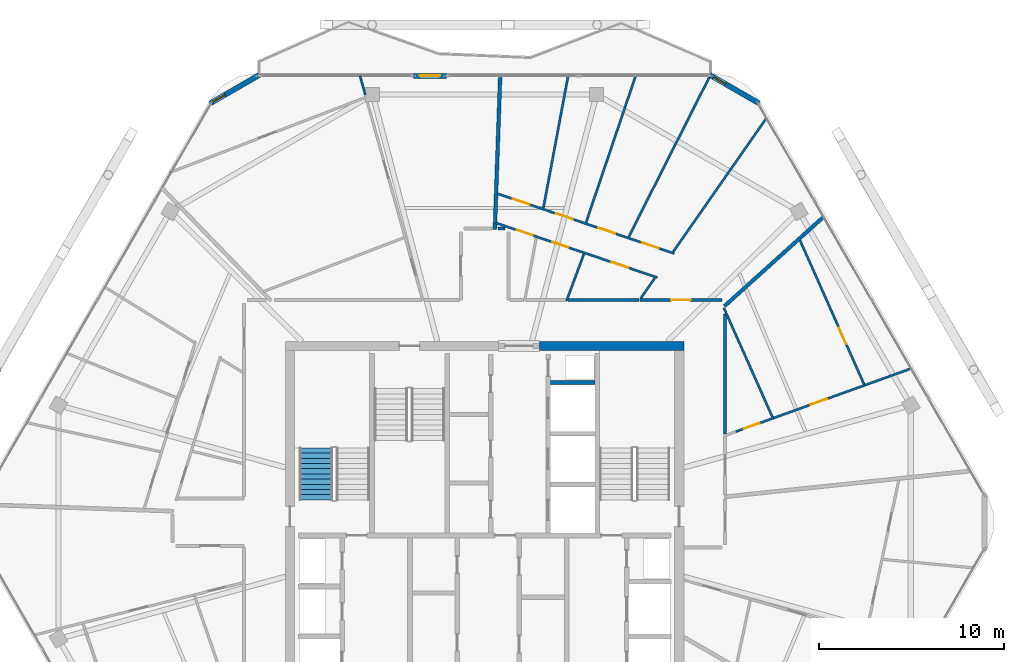
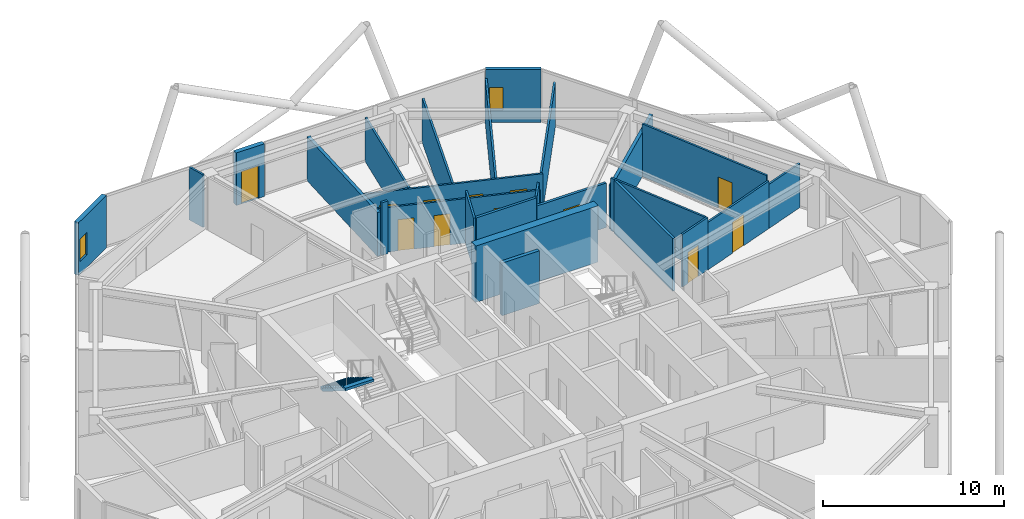
# One storey, part 20 of 23: 25 walls, 12 doors, 2 windows, 1 stair flight, 14 openings, 1 element without a shape of its own.
"""IFC4 building model written with IfcOpenShell, lengths in metres."""

from ifc_helpers import new_model, si_unit, direction, frame, frame_2d, origin, place, context, subcontext, project, spatial, polyline, rectangle, outline, extrude, material, layer, layer_set, type_object, element, fill, aggregate, save


model = new_model("IFC4")

# Units and contexts
model_context = context("Model", 3, precision=1e-05, world=origin(), true_north=direction((0.0, 1.0)))
body_context = subcontext(model_context, "Body", "Model", "MODEL_VIEW")
ifc_project = project(units=[si_unit("LENGTHUNIT", "METRE"), si_unit("AREAUNIT", "SQUARE_METRE"), si_unit("VOLUMEUNIT", "CUBIC_METRE"), si_unit("PLANEANGLEUNIT", "RADIAN"), si_unit("MASSUNIT", "GRAM", prefix="KILO")], contexts=[model_context])

# Site, building, storey
site_placement = place(None, origin())
site = spatial("IfcSite", under=ifc_project, at=site_placement, CompositionType="ELEMENT")
building_placement = place(site_placement, origin())
building = spatial("IfcBuilding", under=site, at=building_placement, Name="Zuhravey Tower", CompositionType="ELEMENT")
storey_placement = place(building_placement, frame((0.0, 0.0, 346.199951171875)))
storey = spatial("IfcBuildingStorey", under=building, at=storey_placement, Name="L88", CompositionType="ELEMENT", Elevation=346.199951171875)

# Wall
ifc_material_1 = material(Name="Concrete C50/60", Category="concrete")
ifc_layer_1 = layer(ifc_material_1, 0.5)
ifc_layer_set_1 = layer_set([ifc_layer_1], Name="Concrete C50/60")
wall_type_1 = type_object("IfcWallType", Name="Core Shear Wall 500", PredefinedType="SHEAR", material=ifc_layer_set_1)
wall_1_placement = place(storey_placement, frame((46.75, 41.5, 0.0), z_axis=(0.0, 0.0, 1.0), x_axis=(-1.0, 0.0, 0.0)))
element("IfcWall", 1, at=wall_1_placement, inside=storey, type_object=wall_type_1, Name="L88 North-East Core Shear Wall CW50", PredefinedType="SHEAR", context=body_context, shape_type="SweptSolid", body=[
    extrude(rectangle(XDim=7.800048828125, YDim=0.5, at=frame_2d((3.89990234375, 0.0))), origin(), (0.0, 0.0, 1.0), 3.800048828125),
])

# Wall, opening, door
ifc_material_2 = material(Name="Gypsum fire-rated stud partition")
ifc_layer_2 = layer(ifc_material_2, 0.159912109375)
ifc_layer_set_2 = layer_set([ifc_layer_2], Name="Gypsum fire-rated stud partition")
wall_type_2 = type_object("IfcWallType", Name="Corridor Fire Partition 160", PredefinedType="PARTITIONING", material=ifc_layer_set_2)
wall_2_placement = place(storey_placement, frame((48.79931640625, 43.97998046875, 0.0), z_axis=(0.0, 0.0, 1.0), x_axis=(-1.0, 0.0, 0.0)))
wall_2 = element("IfcWall", 2, at=wall_2_placement, inside=storey, type_object=wall_type_2, Name="L88 IW16 Partition 022", PredefinedType="PARTITIONING", context=body_context, shape_type="SweptSolid", body=[
    extrude(rectangle(XDim=4.417724609375, YDim=0.159912109375, at=frame_2d((2.208984375, 0.0))), origin(), (0.0, 0.0, 1.0), 3.0),
])
opening_1_placement = place(wall_2_placement, frame((1.683837890625, 0.0, 0.0)))
opening_1 = element("IfcOpeningElement", 3, at=opening_1_placement, cuts=wall_2, Name="Opening APD1", PredefinedType="OPENING", context=body_context, shape_type="SweptSolid", body=[
    extrude(rectangle(XDim=1.050048828125, YDim=2.14990234375, at=frame_2d((0.52490234375, 1.074951171875))), frame((0.0, 0.092041015625, 0.0), z_axis=(0.0, -1.0, 0.0), x_axis=(1.0, 0.0, 0.0)), (0.0, 0.0, 1.0), 0.183837890625),
])
ifc_material_3 = material(Name="Solid-core oak fire-rated leaf")
door_type_1 = type_object("IfcDoorType", Name="Apartment Entrance Fire Door 1050x2150", OperationType="NOTDEFINED", PredefinedType="DOOR", material=ifc_material_3)
door_1_placement = place(opening_1_placement, frame((1.050048828125, 0.0, 0.0), z_axis=(0.0, 0.0, 1.0), x_axis=(-1.0, 0.0, 0.0)))
door_1 = element("IfcDoor", 4, at=door_1_placement, inside=storey, type_object=door_type_1, Name="L88 Door 022.1", OperationType="SINGLE_SWING_RIGHT", OverallHeight=2.14990234375, OverallWidth=1.050048828125, PredefinedType="DOOR", context=body_context, shape_type="SweptSolid", body=[
    extrude(rectangle(XDim=1.050048828125, YDim=2.14990234375, at=frame_2d((0.52490234375, 1.074951171875))), frame((0.0, 0.02490234375, 0.0), z_axis=(0.0, -1.0, 0.0), x_axis=(1.0, 0.0, 0.0)), (0.0, 0.0, 1.0), 0.050048828125),
])
fill(opening_1, door_1)

# Walls
wall_3_placement = place(storey_placement, frame((44.3330078125, 43.97998046875, 0.0), z_axis=(0.0, 0.0, 1.0), x_axis=(-1.0, 0.0, 0.0)))
element("IfcWall", 5, at=wall_3_placement, inside=storey, type_object=wall_type_2, Name="L88 IW16 Partition 101", PredefinedType="PARTITIONING", context=body_context, shape_type="SweptSolid", body=[
    extrude(rectangle(XDim=3.82421875, YDim=0.159912109375, at=frame_2d((1.912109375, 0.0))), origin(), (0.0, 0.0, 1.0), 3.550048828125),
])
wall_4_placement = place(storey_placement, frame((37.10009765625, 47.830078125, 0.0), z_axis=(0.0, 0.0, 1.0), x_axis=(-1.0, 0.0, 0.0)))
element("IfcWall", 6, at=wall_4_placement, inside=storey, type_object=wall_type_2, Name="L88 IW16 Partition 105", PredefinedType="PARTITIONING", context=body_context, shape_type="SweptSolid", body=[
    extrude(rectangle(XDim=0.388916015625, YDim=0.159912109375, at=frame_2d((0.1943359375, 0.0))), origin(), (0.0, 0.0, 1.0), 3.550048828125),
])
wall_5_placement = place(storey_placement, frame((48.97998046875, 36.745361328125, 0.0), z_axis=(0.0, 0.0, 1.0), x_axis=(0.0, 1.0, 0.0)))
element("IfcWall", 7, at=wall_5_placement, inside=storey, type_object=wall_type_2, Name="L88 IW16 Partition 126", PredefinedType="PARTITIONING", context=body_context, shape_type="SweptSolid", body=[
    extrude(rectangle(XDim=6.476806640625, YDim=0.159912109375, at=frame_2d((3.23828125, 0.0))), origin(), (0.0, 0.0, 1.0), 3.550048828125),
])

# Wall, opening, window
ifc_material_4 = material(Name="Precast concrete C40/50", Category="concrete")
ifc_layer_3 = layer(ifc_material_4, 0.280029296875)
ifc_layer_set_3 = layer_set([ifc_layer_3], Name="Precast concrete C40/50")
wall_type_3 = type_object("IfcWallType", Name="Crown Architectural Wall 280", PredefinedType="SOLIDWALL", material=ifc_layer_set_3)
wall_6_placement = place(storey_placement, frame((21.188720703125, 54.589111328125, 0.0), z_axis=(0.0, 0.0, 1.0), x_axis=(0.866023752521, 0.50000286006, 0.0)))
wall_6 = element("IfcWall", 8, at=wall_6_placement, inside=storey, type_object=wall_type_3, Name="L88 Rounded Corner Closure Wall EW28-08", PredefinedType="SOLIDWALL", context=body_context, shape_type="SweptSolid", body=[
    extrude(rectangle(XDim=3.06494140625, YDim=0.280029296875, at=frame_2d((1.532470703125, 0.0))), origin(), (0.0, 0.0, 1.0), 3.550048828125),
])
opening_2_placement = place(wall_6_placement, frame((0.1728515625, 0.0, 0.85009765625)))
opening_2 = element("IfcOpeningElement", 9, at=opening_2_placement, cuts=wall_6, Name="Opening WN5", PredefinedType="OPENING", context=body_context, shape_type="SweptSolid", body=[
    extrude(rectangle(XDim=0.75, YDim=1.5, at=frame_2d((0.375, 0.75))), frame((0.0, 0.152099609375, 0.0), z_axis=(0.0, -1.0, 0.0), x_axis=(1.0, 0.0, 0.0)), (0.0, 0.0, 1.0), 0.303955078125),
])
ifc_material_5 = material(Name="Thermally broken aluminium and triple low-E glass", Category="aluminium")
window_type = type_object("IfcWindowType", Name="Residential Corner Casement Window 750x1500", PartitioningType="SINGLE_PANEL", PredefinedType="WINDOW", material=ifc_material_5)
window_1_placement = place(opening_2_placement, origin())
window_1 = element("IfcWindow", 10, at=window_1_placement, inside=storey, type_object=window_type, Name="L88 Corner Casement Window WN5-08.1", OverallHeight=1.5, OverallWidth=0.75, PartitioningType="SINGLE_PANEL", PredefinedType="WINDOW", context=body_context, shape_type="SweptSolid", body=[
    extrude(rectangle(XDim=0.75, YDim=1.5, at=frame_2d((0.375, 0.75))), frame((0.0, 0.030029296875, 0.0), z_axis=(0.0, -1.0, 0.0), x_axis=(1.0, 0.0, 0.0)), (0.0, 0.0, 1.0), 0.06005859375),
])
fill(opening_2, window_1)

# Wall, opening, door
wall_7_placement = place(storey_placement, frame((32.15283203125, 56.07421875, 0.0), z_axis=(0.0, 0.0, 1.0), x_axis=(1.0, 0.0, 0.0)))
wall_7 = element("IfcWall", 11, at=wall_7_placement, inside=storey, type_object=wall_type_3, Name="L88 Face 2 Facade Pier EW28-1", PredefinedType="SOLIDWALL", context=body_context, shape_type="SweptSolid", body=[
    extrude(rectangle(XDim=1.7900390625, YDim=0.280029296875, at=frame_2d((0.89501953125, 0.0))), origin(), (0.0, 0.0, 1.0), 3.550048828125),
])
opening_3_placement = place(wall_7_placement, frame((0.344970703125, 0.0, 0.0)))
opening_3 = element("IfcOpeningElement", 12, at=opening_3_placement, cuts=wall_7, Name="Opening BLD1", PredefinedType="OPENING", context=body_context, shape_type="SweptSolid", body=[
    extrude(rectangle(XDim=1.10009765625, YDim=2.199951171875, at=frame_2d((0.550048828125, 1.10009765625))), frame((0.0, 0.152099609375, 0.0), z_axis=(0.0, -1.0, 0.0), x_axis=(1.0, 0.0, 0.0)), (0.0, 0.0, 1.0), 0.303955078125),
])
ifc_material_6 = material(Name="Thermally broken aluminium and low-E glass", Category="aluminium")
door_type_2 = type_object("IfcDoorType", Name="Balcony & Sky-Tray Glazed Door 1100x2200", OperationType="NOTDEFINED", PredefinedType="DOOR", material=ifc_material_6)
door_2_placement = place(opening_3_placement, frame((1.10009765625, 0.0, 0.0), z_axis=(0.0, 0.0, 1.0), x_axis=(-1.0, 0.0, 0.0)))
door_2 = element("IfcDoor", 13, at=door_2_placement, inside=storey, type_object=door_type_2, Name="L88 Face 2 Wave Balcony Door", OperationType="SINGLE_SWING_RIGHT", OverallHeight=2.199951171875, OverallWidth=1.10009765625, PredefinedType="DOOR", context=body_context, shape_type="SweptSolid", body=[
    extrude(rectangle(XDim=1.10009765625, YDim=2.199951171875, at=frame_2d((0.550048828125, 1.10009765625))), frame((0.0, 0.02490234375, 0.0), z_axis=(0.0, -1.0, 0.0), x_axis=(1.0, 0.0, 0.0)), (0.0, 0.0, 1.0), 0.050048828125),
])
fill(opening_3, door_2)

# Wall, opening, window
wall_8_placement = place(storey_placement, frame((48.156982421875, 56.12158203125, 0.0), z_axis=(0.0, 0.0, 1.0), x_axis=(0.866023752521, -0.50000286006, 0.0)))
wall_8 = element("IfcWall", 14, at=wall_8_placement, inside=storey, type_object=wall_type_3, Name="L88 Rounded Corner Closure Wall EW28-10", PredefinedType="SOLIDWALL", context=body_context, shape_type="SweptSolid", body=[
    extrude(rectangle(XDim=3.06494140625, YDim=0.280029296875, at=frame_2d((1.532470703125, 0.0))), origin(), (0.0, 0.0, 1.0), 3.550048828125),
])
opening_4_placement = place(wall_8_placement, frame((0.215576171875, 0.0, 0.85009765625)))
opening_4 = element("IfcOpeningElement", 15, at=opening_4_placement, cuts=wall_8, Name="Opening WN5", PredefinedType="OPENING", context=body_context, shape_type="SweptSolid", body=[
    extrude(rectangle(XDim=0.75, YDim=1.5, at=frame_2d((0.375, 0.75))), frame((0.0, 0.152099609375, 0.0), z_axis=(0.0, -1.0, 0.0), x_axis=(1.0, 0.0, 0.0)), (0.0, 0.0, 1.0), 0.303955078125),
])
window_2_placement = place(opening_4_placement, origin())
window_2 = element("IfcWindow", 16, at=window_2_placement, inside=storey, type_object=window_type, Name="L88 Corner Casement Window WN5-10.1", OverallHeight=1.5, OverallWidth=0.75, PartitioningType="SINGLE_PANEL", PredefinedType="WINDOW", context=body_context, shape_type="SweptSolid", body=[
    extrude(rectangle(XDim=0.75, YDim=1.5, at=frame_2d((0.375, 0.75))), frame((0.0, 0.030029296875, 0.0), z_axis=(0.0, -1.0, 0.0), x_axis=(1.0, 0.0, 0.0)), (0.0, 0.0, 1.0), 0.06005859375),
])
fill(opening_4, window_2)

# Walls
ifc_material_7 = material(Name="Gypsum double-stud party assembly")
ifc_layer_4 = layer(ifc_material_7, 0.199951171875)
ifc_layer_set_4 = layer_set([ifc_layer_4], Name="Gypsum double-stud party assembly")
wall_type_4 = type_object("IfcWallType", Name="Inter-Tenancy Party Wall 200", PredefinedType="PARTITIONING", material=ifc_layer_set_4)
wall_9_placement = place(storey_placement, frame((48.93994140625, 43.651123046875, 0.0), z_axis=(0.0, 0.0, 1.0), x_axis=(0.74315080538, 0.669123964944, 0.0)))
element("IfcWall", 17, at=wall_9_placement, inside=storey, type_object=wall_type_4, Name="L88 IW20 Partition 057", PredefinedType="PARTITIONING", context=body_context, shape_type="SweptSolid", body=[
    extrude(rectangle(XDim=7.199462890625, YDim=0.199951171875, at=frame_2d((3.599609375, 0.0))), origin(), (0.0, 0.0, 1.0), 2.969970703125),
])
wall_10_placement = place(storey_placement, frame((36.551513671875, 47.7900390625, 0.0), z_axis=(0.0, 0.0, 1.0), x_axis=(0.034901510276, 0.999390756702, 0.0)))
element("IfcWall", 18, at=wall_10_placement, inside=storey, type_object=wall_type_4, Name="L88 IW20 Partition 065", PredefinedType="PARTITIONING", context=body_context, shape_type="SweptSolid", body=[
    extrude(rectangle(XDim=8.289306640625, YDim=0.199951171875, at=frame_2d((4.14453125, 0.0))), origin(), (0.0, 0.0, 1.0), 2.969970703125),
])
ifc_material_8 = material(Name="Gypsum acoustic stud assembly")
ifc_layer_5 = layer(ifc_material_8, 0.219970703125)
ifc_layer_set_5 = layer_set([ifc_layer_5], Name="Gypsum acoustic stud assembly")
wall_type_5 = type_object("IfcWallType", Name="School Acoustic Compartment Wall 220", PredefinedType="PARTITIONING", material=ifc_layer_set_5)
wall_11_placement = place(storey_placement, frame((39.55810546875, 39.52490234375, 0.0), z_axis=(0.0, 0.0, 1.0), x_axis=(1.0, 0.0, 0.0)))
element("IfcWall", 19, at=wall_11_placement, inside=storey, type_object=wall_type_5, Name="L88 IW22 Partition 055", PredefinedType="PARTITIONING", context=body_context, shape_type="SweptSolid", body=[
    extrude(rectangle(XDim=2.3837890625, YDim=0.219970703125, at=frame_2d((1.19189453125, 0.0))), origin(), (0.0, 0.0, 1.0), 3.550048828125),
])

# Wall, openings, doors
ifc_material_9 = material(Name="Gypsum metal-stud partition")
ifc_layer_6 = layer(ifc_material_9, 0.1201171875)
ifc_layer_set_6 = layer_set([ifc_layer_6], Name="Gypsum metal-stud partition")
wall_type_6 = type_object("IfcWallType", Name="Unit Internal Partition 120", PredefinedType="PARTITIONING", material=ifc_layer_set_6)
wall_12_placement = place(storey_placement, frame((45.3232421875, 45.189697265625, 0.0), z_axis=(0.0, 0.0, 1.0), x_axis=(-0.947209030083, 0.320616676625, 0.0)))
wall_12 = element("IfcWall", 20, at=wall_12_placement, inside=storey, type_object=wall_type_6, Name="L88 IW12 Partition 020", PredefinedType="PARTITIONING", context=body_context, shape_type="SweptSolid", body=[
    extrude(rectangle(XDim=9.20458984375, YDim=0.1201171875, at=frame_2d((4.602294921875, 0.0))), origin(), (0.0, 0.0, 1.0), 3.0),
])
opening_5_placement = place(wall_12_placement, frame((1.6591796875, 0.0, 0.0)))
opening_5 = element("IfcOpeningElement", 21, at=opening_5_placement, cuts=wall_12, Name="Opening IND1", PredefinedType="OPENING", context=body_context, shape_type="SweptSolid", body=[
    extrude(rectangle(XDim=0.949951171875, YDim=2.10009765625, at=frame_2d((0.47509765625, 1.050048828125))), frame((0.0, 0.072021484375, 0.0), z_axis=(0.0, -1.0, 0.0), x_axis=(1.0, 0.0, 0.0)), (0.0, 0.0, 1.0), 0.14404296875),
])
opening_6_placement = place(wall_12_placement, frame((5.07958984375, 0.0, 0.0)))
opening_6 = element("IfcOpeningElement", 22, at=opening_6_placement, cuts=wall_12, Name="Opening WCD1", PredefinedType="OPENING", context=body_context, shape_type="SweptSolid", body=[
    extrude(rectangle(XDim=0.89990234375, YDim=2.10009765625, at=frame_2d((0.449951171875, 1.050048828125))), frame((0.0, 0.072021484375, 0.0), z_axis=(0.0, -1.0, 0.0), x_axis=(1.0, 0.0, 0.0)), (0.0, 0.0, 1.0), 0.14404296875),
])
opening_7_placement = place(wall_12_placement, frame((7.107177734375, 0.0, 0.0)))
opening_7 = element("IfcOpeningElement", 23, at=opening_7_placement, cuts=wall_12, Name="Opening WCD1", PredefinedType="OPENING", context=body_context, shape_type="SweptSolid", body=[
    extrude(rectangle(XDim=0.89990234375, YDim=2.10009765625, at=frame_2d((0.449951171875, 1.050048828125))), frame((0.0, 0.072021484375, 0.0), z_axis=(0.0, -1.0, 0.0), x_axis=(1.0, 0.0, 0.0)), (0.0, 0.0, 1.0), 0.14404296875),
])
ifc_material_10 = material(Name="Moisture-resistant timber leaf", Category="wood")
door_type_3 = type_object("IfcDoorType", Name="Bathroom & WC Internal Door 900x2100", OperationType="NOTDEFINED", PredefinedType="DOOR", material=ifc_material_10)
door_3_placement = place(opening_6_placement, origin())
door_3 = element("IfcDoor", 24, at=door_3_placement, inside=storey, type_object=door_type_3, Name="Apartment L88-01 Bathroom 1 Door", OperationType="SINGLE_SWING_RIGHT", OverallHeight=2.10009765625, OverallWidth=0.89990234375, PredefinedType="DOOR", context=body_context, shape_type="SweptSolid", body=[
    extrude(rectangle(XDim=0.89990234375, YDim=2.10009765625, at=frame_2d((0.449951171875, 1.050048828125))), frame((0.0, 0.02490234375, 0.0), z_axis=(0.0, -1.0, 0.0), x_axis=(1.0, 0.0, 0.0)), (0.0, 0.0, 1.0), 0.050048828125),
])
fill(opening_6, door_3)
door_4_placement = place(opening_7_placement, origin())
door_4 = element("IfcDoor", 25, at=door_4_placement, inside=storey, type_object=door_type_3, Name="Apartment L88-01 Bathroom 2 Door", OperationType="SINGLE_SWING_LEFT", OverallHeight=2.10009765625, OverallWidth=0.89990234375, PredefinedType="DOOR", context=body_context, shape_type="SweptSolid", body=[
    extrude(rectangle(XDim=0.89990234375, YDim=2.10009765625, at=frame_2d((0.449951171875, 1.050048828125))), frame((0.0, 0.02490234375, 0.0), z_axis=(0.0, -1.0, 0.0), x_axis=(1.0, 0.0, 0.0)), (0.0, 0.0, 1.0), 0.050048828125),
])
fill(opening_7, door_4)
ifc_material_11 = material(Name="Painted engineered timber leaf", Category="wood")
door_type_4 = type_object("IfcDoorType", Name="Internal Room & Bedroom Door 950x2100", OperationType="NOTDEFINED", PredefinedType="DOOR", material=ifc_material_11)
door_5_placement = place(opening_5_placement, origin())
door_5 = element("IfcDoor", 26, at=door_5_placement, inside=storey, type_object=door_type_4, Name="Apartment L88-01 Kitchen Door", OperationType="SINGLE_SWING_LEFT", OverallHeight=2.10009765625, OverallWidth=0.949951171875, PredefinedType="DOOR", context=body_context, shape_type="SweptSolid", body=[
    extrude(rectangle(XDim=0.949951171875, YDim=2.10009765625, at=frame_2d((0.47509765625, 1.050048828125))), frame((0.0, 0.02490234375, 0.0), z_axis=(0.0, -1.0, 0.0), x_axis=(1.0, 0.0, 0.0)), (0.0, 0.0, 1.0), 0.050048828125),
])
fill(opening_5, door_5)

wall_13_placement = place(storey_placement, frame((46.228759765625, 46.48779296875, 0.0), z_axis=(0.0, 0.0, 1.0), x_axis=(-0.947206471438, 0.320624235618, 0.0)))
wall_13 = element("IfcWall", 27, at=wall_13_placement, inside=storey, type_object=wall_type_6, Name="L88 IW12 Partition 021", PredefinedType="PARTITIONING", context=body_context, shape_type="SweptSolid", body=[
    extrude(rectangle(XDim=10.087646484375, YDim=0.1201171875, at=frame_2d((5.0439453125, 0.0))), origin(), (0.0, 0.0, 1.0), 3.0),
])
opening_8_placement = place(wall_13_placement, frame((0.886962890625, 0.0, 0.0)))
opening_8 = element("IfcOpeningElement", 28, at=opening_8_placement, cuts=wall_13, Name="Opening IND1", PredefinedType="OPENING", context=body_context, shape_type="SweptSolid", body=[
    extrude(rectangle(XDim=0.949951171875, YDim=2.10009765625, at=frame_2d((0.47509765625, 1.050048828125))), frame((0.0, 0.072021484375, 0.0), z_axis=(0.0, -1.0, 0.0), x_axis=(1.0, 0.0, 0.0)), (0.0, 0.0, 1.0), 0.14404296875),
])
opening_9_placement = place(wall_13_placement, frame((3.3583984375, 0.0, 0.0)))
opening_9 = element("IfcOpeningElement", 29, at=opening_9_placement, cuts=wall_13, Name="Opening IND1", PredefinedType="OPENING", context=body_context, shape_type="SweptSolid", body=[
    extrude(rectangle(XDim=0.949951171875, YDim=2.10009765625, at=frame_2d((0.47509765625, 1.050048828125))), frame((0.0, 0.072021484375, 0.0), z_axis=(0.0, -1.0, 0.0), x_axis=(1.0, 0.0, 0.0)), (0.0, 0.0, 1.0), 0.14404296875),
])
opening_10_placement = place(wall_13_placement, frame((5.779296875, 0.0, 0.0)))
opening_10 = element("IfcOpeningElement", 30, at=opening_10_placement, cuts=wall_13, Name="Opening IND1", PredefinedType="OPENING", context=body_context, shape_type="SweptSolid", body=[
    extrude(rectangle(XDim=0.949951171875, YDim=2.10009765625, at=frame_2d((0.47509765625, 1.050048828125))), frame((0.0, 0.072021484375, 0.0), z_axis=(0.0, -1.0, 0.0), x_axis=(1.0, 0.0, 0.0)), (0.0, 0.0, 1.0), 0.14404296875),
])
opening_11_placement = place(wall_13_placement, frame((8.250732421875, 0.0, 0.0)))
opening_11 = element("IfcOpeningElement", 31, at=opening_11_placement, cuts=wall_13, Name="Opening IND1", PredefinedType="OPENING", context=body_context, shape_type="SweptSolid", body=[
    extrude(rectangle(XDim=0.949951171875, YDim=2.10009765625, at=frame_2d((0.47509765625, 1.050048828125))), frame((0.0, 0.072021484375, 0.0), z_axis=(0.0, -1.0, 0.0), x_axis=(1.0, 0.0, 0.0)), (0.0, 0.0, 1.0), 0.14404296875),
])
door_6_placement = place(opening_8_placement, frame((0.949951171875, 0.0, 0.0), z_axis=(0.0, 0.0, 1.0), x_axis=(-1.0, 0.0, 0.0)))
door_6 = element("IfcDoor", 32, at=door_6_placement, inside=storey, type_object=door_type_4, Name="Apartment L88-01 Bedroom 1 Door", OperationType="SINGLE_SWING_RIGHT", OverallHeight=2.10009765625, OverallWidth=0.949951171875, PredefinedType="DOOR", context=body_context, shape_type="SweptSolid", body=[
    extrude(rectangle(XDim=0.949951171875, YDim=2.10009765625, at=frame_2d((0.47509765625, 1.050048828125))), frame((0.0, 0.02490234375, 0.0), z_axis=(0.0, -1.0, 0.0), x_axis=(1.0, 0.0, 0.0)), (0.0, 0.0, 1.0), 0.050048828125),
])
fill(opening_8, door_6)
door_7_placement = place(opening_9_placement, frame((0.949951171875, 0.0, 0.0), z_axis=(0.0, 0.0, 1.0), x_axis=(-1.0, 0.0, 0.0)))
door_7 = element("IfcDoor", 33, at=door_7_placement, inside=storey, type_object=door_type_4, Name="Apartment L88-01 Bedroom 2 Door", OperationType="SINGLE_SWING_LEFT", OverallHeight=2.10009765625, OverallWidth=0.949951171875, PredefinedType="DOOR", context=body_context, shape_type="SweptSolid", body=[
    extrude(rectangle(XDim=0.949951171875, YDim=2.10009765625, at=frame_2d((0.47509765625, 1.050048828125))), frame((0.0, 0.02490234375, 0.0), z_axis=(0.0, -1.0, 0.0), x_axis=(1.0, 0.0, 0.0)), (0.0, 0.0, 1.0), 0.050048828125),
])
fill(opening_9, door_7)
door_8_placement = place(opening_10_placement, frame((0.949951171875, 0.0, 0.0), z_axis=(0.0, 0.0, 1.0), x_axis=(-1.0, 0.0, 0.0)))
door_8 = element("IfcDoor", 34, at=door_8_placement, inside=storey, type_object=door_type_4, Name="Apartment L88-01 Bedroom 3 Door", OperationType="SINGLE_SWING_RIGHT", OverallHeight=2.10009765625, OverallWidth=0.949951171875, PredefinedType="DOOR", context=body_context, shape_type="SweptSolid", body=[
    extrude(rectangle(XDim=0.949951171875, YDim=2.10009765625, at=frame_2d((0.47509765625, 1.050048828125))), frame((0.0, 0.02490234375, 0.0), z_axis=(0.0, -1.0, 0.0), x_axis=(1.0, 0.0, 0.0)), (0.0, 0.0, 1.0), 0.050048828125),
])
fill(opening_10, door_8)
door_9_placement = place(opening_11_placement, frame((0.949951171875, 0.0, 0.0), z_axis=(0.0, 0.0, 1.0), x_axis=(-1.0, 0.0, 0.0)))
door_9 = element("IfcDoor", 35, at=door_9_placement, inside=storey, type_object=door_type_4, Name="Apartment L88-01 Bedroom 4 Door", OperationType="SINGLE_SWING_LEFT", OverallHeight=2.10009765625, OverallWidth=0.949951171875, PredefinedType="DOOR", context=body_context, shape_type="SweptSolid", body=[
    extrude(rectangle(XDim=0.949951171875, YDim=2.10009765625, at=frame_2d((0.47509765625, 1.050048828125))), frame((0.0, 0.02490234375, 0.0), z_axis=(0.0, -1.0, 0.0), x_axis=(1.0, 0.0, 0.0)), (0.0, 0.0, 1.0), 0.050048828125),
])
fill(opening_11, door_9)

# Wall, opening, door
wall_14_placement = place(storey_placement, frame((49.550048828125, 36.87841796875, 0.0), z_axis=(0.0, 0.0, 1.0), x_axis=(0.940904714612, 0.338671401244, 0.0)))
wall_14 = element("IfcWall", 36, at=wall_14_placement, inside=storey, type_object=wall_type_6, Name="L88 IW12 Partition 047", PredefinedType="PARTITIONING", context=body_context, shape_type="SweptSolid", body=[
    extrude(rectangle(XDim=2.158203125, YDim=0.1201171875, at=frame_2d((1.0791015625, 0.0))), origin(), (0.0, 0.0, 1.0), 3.550048828125),
])
opening_12_placement = place(wall_14_placement, frame((0.45654296875, 0.0, 0.0)))
opening_12 = element("IfcOpeningElement", 37, at=opening_12_placement, cuts=wall_14, Name="Opening WCD1", PredefinedType="OPENING", context=body_context, shape_type="SweptSolid", body=[
    extrude(rectangle(XDim=0.89990234375, YDim=2.10009765625, at=frame_2d((0.449951171875, 1.050048828125))), frame((0.0, 0.072021484375, 0.0), z_axis=(0.0, -1.0, 0.0), x_axis=(1.0, 0.0, 0.0)), (0.0, 0.0, 1.0), 0.14404296875),
])
door_10_placement = place(opening_12_placement, origin())
door_10 = element("IfcDoor", 38, at=door_10_placement, inside=storey, type_object=door_type_3, Name="Apartment L88-09 Bathroom Door", OperationType="SINGLE_SWING_RIGHT", OverallHeight=2.10009765625, OverallWidth=0.89990234375, PredefinedType="DOOR", context=body_context, shape_type="SweptSolid", body=[
    extrude(rectangle(XDim=0.89990234375, YDim=2.10009765625, at=frame_2d((0.449951171875, 1.050048828125))), frame((0.0, 0.02490234375, 0.0), z_axis=(0.0, -1.0, 0.0), x_axis=(1.0, 0.0, 0.0)), (0.0, 0.0, 1.0), 0.050048828125),
])
fill(opening_12, door_10)

wall_15_placement = place(storey_placement, frame((51.580810546875, 37.609375, 0.0), z_axis=(0.0, 0.0, 1.0), x_axis=(0.940870812365, 0.338765574461, 0.0)))
wall_15 = element("IfcWall", 39, at=wall_15_placement, inside=storey, type_object=wall_type_6, Name="L88 IW12 Partition 048", PredefinedType="PARTITIONING", context=body_context, shape_type="SweptSolid", body=[
    extrude(rectangle(XDim=5.250244140625, YDim=0.1201171875, at=frame_2d((2.625, 0.0))), origin(), (0.0, 0.0, 1.0), 3.199951171875),
])
opening_13_placement = place(wall_15_placement, frame((2.125, 0.0, 0.0)))
opening_13 = element("IfcOpeningElement", 40, at=opening_13_placement, cuts=wall_15, Name="Opening IND1", PredefinedType="OPENING", context=body_context, shape_type="SweptSolid", body=[
    extrude(rectangle(XDim=0.949951171875, YDim=2.10009765625, at=frame_2d((0.47509765625, 1.050048828125))), frame((0.0, 0.072021484375, 0.0), z_axis=(0.0, -1.0, 0.0), x_axis=(1.0, 0.0, 0.0)), (0.0, 0.0, 1.0), 0.14404296875),
])
door_11_placement = place(opening_13_placement, origin())
door_11 = element("IfcDoor", 41, at=door_11_placement, inside=storey, type_object=door_type_4, Name="Apartment L88-09 Home Office Door", OperationType="SINGLE_SWING_LEFT", OverallHeight=2.10009765625, OverallWidth=0.949951171875, PredefinedType="DOOR", context=body_context, shape_type="SweptSolid", body=[
    extrude(rectangle(XDim=0.949951171875, YDim=2.10009765625, at=frame_2d((0.47509765625, 1.050048828125))), frame((0.0, 0.02490234375, 0.0), z_axis=(0.0, -1.0, 0.0), x_axis=(1.0, 0.0, 0.0)), (0.0, 0.0, 1.0), 0.050048828125),
])
fill(opening_13, door_11)

wall_16_placement = place(storey_placement, frame((56.469482421875, 39.441650390625, 0.0), z_axis=(0.0, 0.0, 1.0), x_axis=(-0.406736554193, 0.913545497216, 0.0)))
wall_16 = element("IfcWall", 42, at=wall_16_placement, inside=storey, type_object=wall_type_6, Name="L88 IW12 Partition 049", PredefinedType="PARTITIONING", context=body_context, shape_type="SweptSolid", body=[
    extrude(rectangle(XDim=8.482666015625, YDim=0.1201171875, at=frame_2d((4.2412109375, 0.0))), origin(), (0.0, 0.0, 1.0), 3.550048828125),
])
opening_14_placement = place(wall_16_placement, frame((2.362060546875, 0.0, 0.0)))
opening_14 = element("IfcOpeningElement", 43, at=opening_14_placement, cuts=wall_16, Name="Opening IND1", PredefinedType="OPENING", context=body_context, shape_type="SweptSolid", body=[
    extrude(rectangle(XDim=0.949951171875, YDim=2.10009765625, at=frame_2d((0.47509765625, 1.050048828125))), frame((0.0, 0.072021484375, 0.0), z_axis=(0.0, -1.0, 0.0), x_axis=(1.0, 0.0, 0.0)), (0.0, 0.0, 1.0), 0.14404296875),
])
door_12_placement = place(opening_14_placement, frame((0.949951171875, 0.0, 0.0), z_axis=(0.0, 0.0, 1.0), x_axis=(-1.0, 0.0, 0.0)))
door_12 = element("IfcDoor", 44, at=door_12_placement, inside=storey, type_object=door_type_4, Name="Apartment L88-09 Bedroom 1 Door", OperationType="SINGLE_SWING_RIGHT", OverallHeight=2.10009765625, OverallWidth=0.949951171875, PredefinedType="DOOR", context=body_context, shape_type="SweptSolid", body=[
    extrude(rectangle(XDim=0.949951171875, YDim=2.10009765625, at=frame_2d((0.47509765625, 1.050048828125))), frame((0.0, 0.02490234375, 0.0), z_axis=(0.0, -1.0, 0.0), x_axis=(1.0, 0.0, 0.0)), (0.0, 0.0, 1.0), 0.050048828125),
])
fill(opening_14, door_12)

# Walls
wall_17_placement = place(storey_placement, frame((40.417724609375, 43.929931640625, 0.0), z_axis=(0.0, 0.0, 1.0), x_axis=(0.347234815936, 0.937778216105, 0.0)))
element("IfcWall", 45, at=wall_17_placement, inside=storey, type_object=wall_type_6, Name="L88 IW12 Partition 058", PredefinedType="PARTITIONING", context=body_context, shape_type="SweptSolid", body=[
    extrude(rectangle(XDim=2.69921875, YDim=0.1201171875, at=frame_2d((1.349609375, 0.0))), origin(), (0.0, 0.0, 1.0), 3.550048828125),
])
wall_18_placement = place(storey_placement, frame((43.7744140625, 47.390380859375, 0.0), z_axis=(0.0, 0.0, 1.0), x_axis=(0.450869548037, 0.892589855787, 0.0)))
element("IfcWall", 46, at=wall_18_placement, inside=storey, type_object=wall_type_6, Name="L88 IW12 Partition 060", PredefinedType="PARTITIONING", context=body_context, shape_type="SweptSolid", body=[
    extrude(rectangle(XDim=9.73974609375, YDim=0.1201171875, at=frame_2d((4.869873046875, 0.0))), origin(), (0.0, 0.0, 1.0), 2.969970703125),
])
wall_19_placement = place(storey_placement, frame((41.472900390625, 48.16943359375, 0.0), z_axis=(0.0, 0.0, 1.0), x_axis=(0.32064215142, 0.947200406848, 0.0)))
element("IfcWall", 47, at=wall_19_placement, inside=storey, type_object=wall_type_6, Name="L88 IW12 Partition 061", PredefinedType="PARTITIONING", context=body_context, shape_type="SweptSolid", body=[
    extrude(rectangle(XDim=8.355712890625, YDim=0.1201171875, at=frame_2d((4.177734375, 0.0))), origin(), (0.0, 0.0, 1.0), 2.969970703125),
])
wall_20_placement = place(storey_placement, frame((39.171875, 48.948486328125, 0.0), z_axis=(0.0, 0.0, 1.0), x_axis=(0.183929112918, 0.982939510561, 0.0)))
element("IfcWall", 48, at=wall_20_placement, inside=storey, type_object=wall_type_6, Name="L88 IW12 Partition 062", PredefinedType="PARTITIONING", context=body_context, shape_type="SweptSolid", body=[
    extrude(rectangle(XDim=7.25927734375, YDim=0.1201171875, at=frame_2d((3.629638671875, 0.0))), origin(), (0.0, 0.0, 1.0), 2.969970703125),
])
wall_21_placement = place(storey_placement, frame((44.418701171875, 44.068115234375, 0.0), z_axis=(0.0, 0.0, 1.0), x_axis=(0.572224421866, 0.820097074144, 0.0)))
element("IfcWall", 49, at=wall_21_placement, inside=storey, type_object=wall_type_6, Name="L88 IW12 Partition 063", PredefinedType="PARTITIONING", context=body_context, shape_type="SweptSolid", body=[
    extrude(rectangle(XDim=1.337646484375, YDim=0.1201171875, at=frame_2d((0.6689453125, 0.0))), origin(), (0.0, 0.0, 1.0), 3.550048828125),
])
wall_22_placement = place(storey_placement, frame((46.170654296875, 46.579345703125, 0.0), z_axis=(0.0, 0.0, 1.0), x_axis=(0.572144356321, 0.820152934233, 0.0)))
element("IfcWall", 50, at=wall_22_placement, inside=storey, type_object=wall_type_6, Name="L88 IW12 Partition 064", PredefinedType="PARTITIONING", context=body_context, shape_type="SweptSolid", body=[
    extrude(rectangle(XDim=8.8193359375, YDim=0.1201171875, at=frame_2d((4.40966796875, 0.0))), origin(), (0.0, 0.0, 1.0), 2.969970703125),
])
wall_23_placement = place(storey_placement, frame((29.56640625, 55.04296875, 0.0), z_axis=(0.0, 0.0, 1.0), x_axis=(-0.268931170231, 0.963159397856, 0.0)))
element("IfcWall", 51, at=wall_23_placement, inside=storey, type_object=wall_type_6, Name="L88 IW12 Partition 067", PredefinedType="PARTITIONING", context=body_context, shape_type="SweptSolid", body=[
    extrude(rectangle(XDim=1.07568359375, YDim=0.1201171875, at=frame_2d((0.537841796875, 0.0))), origin(), (0.0, 0.0, 1.0), 3.550048828125),
])
wall_24_placement = place(storey_placement, frame((56.5205078125, 39.387939453125, 0.0), z_axis=(0.0, 0.0, 1.0), x_axis=(0.940883895468, 0.338729235894, 0.0)))
element("IfcWall", 52, at=wall_24_placement, inside=storey, type_object=wall_type_6, Name="L88 IW12 Partition 099", PredefinedType="PARTITIONING", context=body_context, shape_type="SweptSolid", body=[
    extrude(rectangle(XDim=2.6552734375, YDim=0.1201171875, at=frame_2d((1.32763671875, 0.0))), origin(), (0.0, 0.0, 1.0), 2.969970703125),
])
wall_25_placement = place(storey_placement, frame((51.529541015625, 37.6630859375, 0.0), z_axis=(0.0, 0.0, 1.0), x_axis=(-0.406732154443, 0.913547456097, 0.0)))
element("IfcWall", 53, at=wall_25_placement, inside=storey, type_object=wall_type_6, Name="L88 IW12 Partition 100", PredefinedType="PARTITIONING", context=body_context, shape_type="SweptSolid", body=[
    extrude(rectangle(XDim=6.447265625, YDim=0.1201171875, at=frame_2d((3.2236328125, 0.0))), origin(), (0.0, 0.0, 1.0), 3.550048828125),
])

# Stair, stair flight
ifc_material_12 = material(Name="Concrete C40/50", Category="concrete")
stair_type = type_object("IfcStairType", Name="Housing Storey Stair Assembly 3800", PredefinedType="HALF_TURN_STAIR", material=ifc_material_12)
stair_placement = place(storey_placement, origin())
stair = element("IfcStair", 54, at=stair_placement, inside=storey, type_object=stair_type, Name="L88 Core Exit Stair ST1", PredefinedType="HALF_TURN_STAIR")
stair_flight_type = type_object("IfcStairFlightType", Name="Housing Storey Stair Flight 3800", PredefinedType="STRAIGHT", material=ifc_material_12)
stair_flight_placement = place(storey_placement, frame((26.89990234375, 36.0, 1.900146484375), z_axis=(0.0, 0.0, 1.0), x_axis=(0.0, -1.0, 0.0)))
stair_flight = element("IfcStairFlight", 55, at=stair_flight_placement, type_object=stair_flight_type, Name="ST1 flight 2", NumberOfRisers=11, NumberOfTreads=10, PredefinedType="STRAIGHT", RiserHeight=0.172727273, TreadLength=0.28, context=body_context, shape_type="SweptSolid", body=[
    extrude(outline(polyline([(0.0, 0.0), (0.0, 0.172607421875), (0.280029296875, 0.172607421875), (0.280029296875, 0.345458984375), (0.56005859375, 0.345458984375), (0.56005859375, 0.51806640625), (0.840087890625, 0.51806640625), (0.840087890625, 0.69091796875), (1.1201171875, 0.69091796875), (1.1201171875, 0.863525390625), (1.39990234375, 0.863525390625), (1.39990234375, 1.036376953125), (1.679931640625, 1.036376953125), (1.679931640625, 1.208984375), (1.9599609375, 1.208984375), (1.9599609375, 1.3818359375), (2.239990234375, 1.3818359375), (2.239990234375, 1.554443359375), (2.52001953125, 1.554443359375), (2.52001953125, 1.727294921875), (2.800048828125, 1.727294921875), (2.800048828125, 1.89990234375), (2.800048828125, 1.551025390625), (0.285400390625, 0.0), (0.0, 0.0)])), frame((0.0, 0.89990234375, 0.0), z_axis=(0.0, -1.0, 0.0), x_axis=(1.0, 0.0, 0.0)), (0.0, 0.0, 1.0), 1.800048828125),
])
aggregate(stair, [stair_flight])

save(model, "model.ifc")
